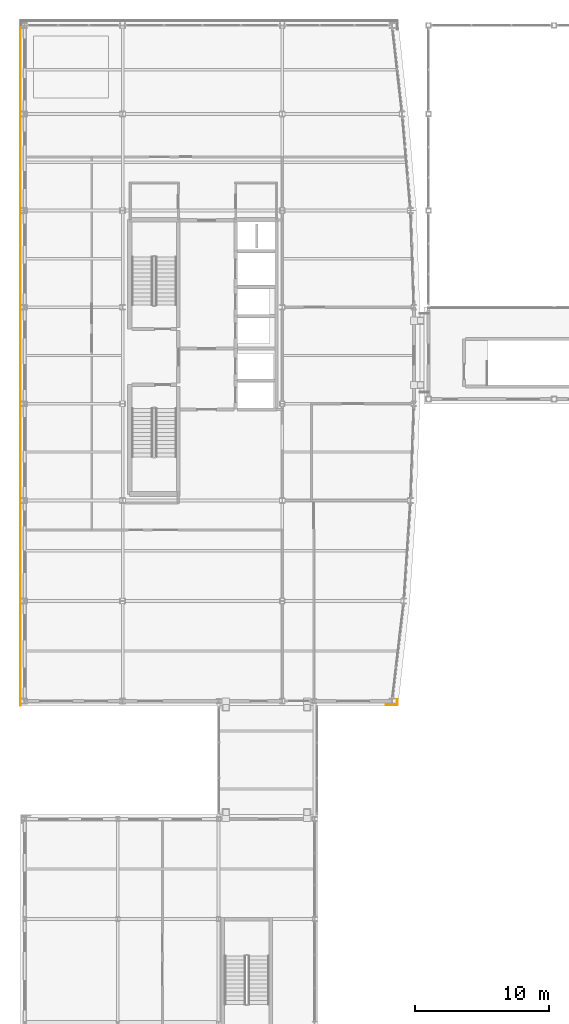
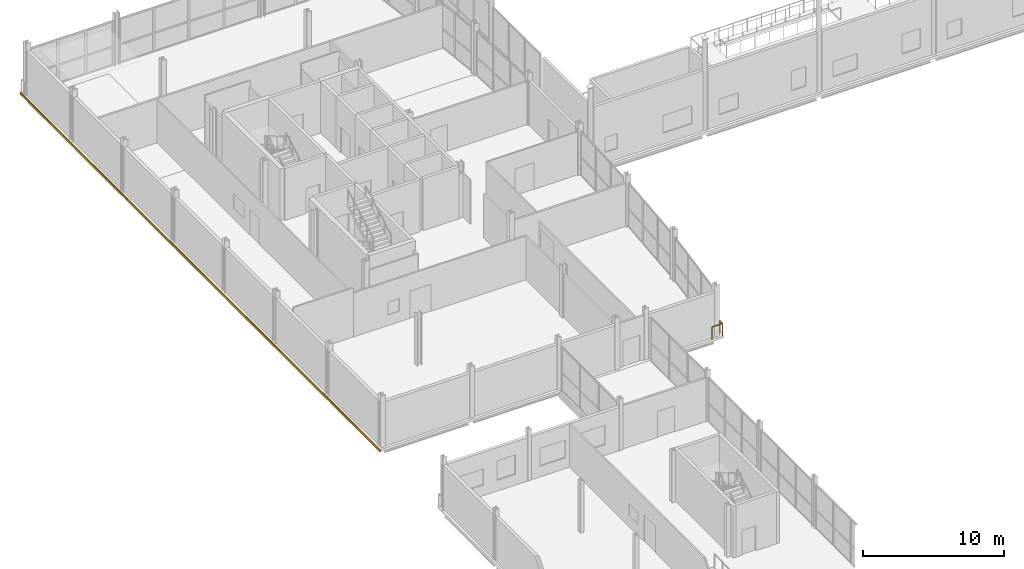
# One storey, part 73 of 77: 1 covering, 1 railing.
"""IFC4 building model written with IfcOpenShell, lengths in metres."""

from ifc_helpers import new_model, si_unit, direction, frame, origin, origin_2d, place, context, subcontext, project, spatial, polyline, circle, outline, extrude, material, layer, layer_set, type_object, element, save


model = new_model("IFC4")

# Units and contexts
model_context = context("Model", 3, precision=1e-05, world=origin(), true_north=direction((0.0, 1.0)))
body_context = subcontext(model_context, "Body", "Model", "MODEL_VIEW")
ifc_project = project(units=[si_unit("LENGTHUNIT", "METRE"), si_unit("AREAUNIT", "SQUARE_METRE"), si_unit("VOLUMEUNIT", "CUBIC_METRE"), si_unit("PLANEANGLEUNIT", "RADIAN"), si_unit("MASSUNIT", "GRAM", prefix="KILO")], contexts=[model_context])

# Site, building, storey
site_placement = place(None, origin())
site = spatial("IfcSite", under=ifc_project, at=site_placement, CompositionType="ELEMENT")
building_placement = place(site_placement, origin())
building = spatial("IfcBuilding", under=site, at=building_placement, Name="Quillay Park Conservatory", CompositionType="ELEMENT")
storey_placement = place(building_placement, frame((0.0, 0.0, 5.39990234375)))
storey = spatial("IfcBuildingStorey", under=building, at=storey_placement, Name="L01", CompositionType="ELEMENT", Elevation=5.39990234375)

# Covering
ifc_material_1 = material(Name="Glass-Fibre Reinforced Concrete (GRC) Cladding", Category="concrete")
ifc_layer = layer(ifc_material_1, 0.044921875)
ifc_layer_set = layer_set([ifc_layer], Name="GRC SPANDREL CLADDING 45 (Glass-Fibre Reinforced Concrete (GRC) Cladding)")
covering_type = type_object("IfcCoveringType", Name="GRC SPANDREL CLADDING 45", PredefinedType="CLADDING", material=ifc_layer_set)
covering_placement = place(storey_placement, frame((0.0, 0.0, -0.199951171875)))
element("IfcCovering", 1, at=covering_placement, inside=storey, type_object=covering_type, Name="L01 West Folded GRC Spandrel Ribbon", PredefinedType="CLADDING", context=body_context, shape_type="SweptSolid", body=[
    extrude(outline(polyline([(0.205078125, 62.699951171875), (0.25, 62.699951171875), (0.25, 113.800048828125), (0.205078125, 113.800048828125), (0.205078125, 62.699951171875)])), origin(), (0.0, 0.0, 1.0), 0.199951171875),
])

# Railing
ifc_material_2 = material(Name="Steel S355J2H", Category="steel")
railing_type = type_object("IfcRailingType", Name="TERRACE PERIMETER GUARDRAIL 1100", PredefinedType="GUARDRAIL", material=ifc_material_2)
railing_placement = place(storey_placement, frame((27.465087890625, 62.760009765625, 0.0)))
element("IfcRailing", 2, at=railing_placement, inside=storey, type_object=railing_type, Name="L01 Perimeter Safety Guardrail 021", PredefinedType="GUARDRAIL", context=body_context, shape_type="SweptSolid", body=[
    extrude(circle(Radius=0.02392578125, at=origin_2d()), frame((0.0, 0.0, 1.076171875), z_axis=(1.0, 0.0, 0.0), x_axis=(0.0, 1.0, 0.0)), (0.0, 0.0, 1.0), 0.849853515625),
    extrude(circle(Radius=0.02392578125, at=origin_2d()), frame((0.849853515625, 0.0, 1.076171875), z_axis=(0.0, 1.0, 0.0), x_axis=(-1.0, 0.0, 0.0)), (0.0, 0.0, 1.0), 0.389892578125),
    extrude(circle(Radius=0.02099609375, at=origin_2d()), origin(), (0.0, 0.0, 1.0), 1.052001953125),
    extrude(circle(Radius=0.02099609375, at=origin_2d()), frame((0.849853515625, 0.0, 0.0)), (0.0, 0.0, 1.0), 1.052001953125),
    extrude(circle(Radius=0.02099609375, at=origin_2d()), frame((0.849853515625, 0.389892578125, 0.0)), (0.0, 0.0, 1.0), 1.052001953125),
])

save(model, "model.ifc")
